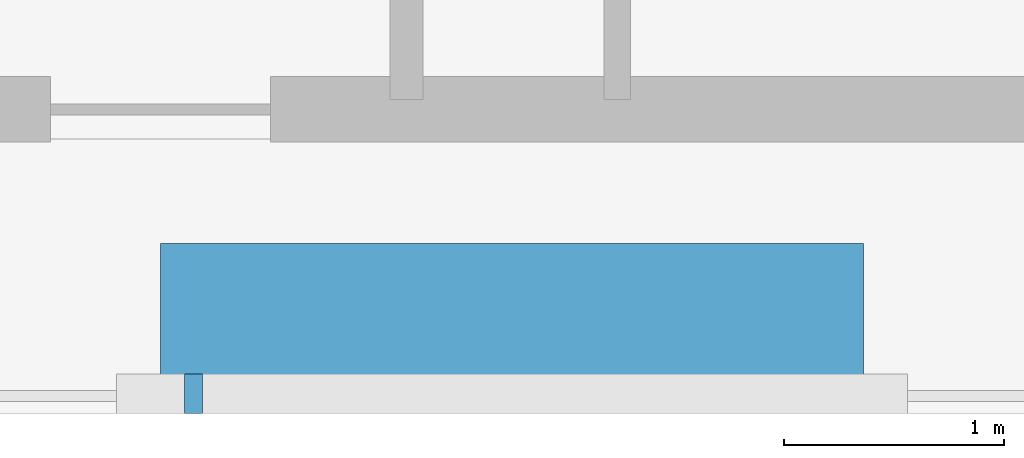
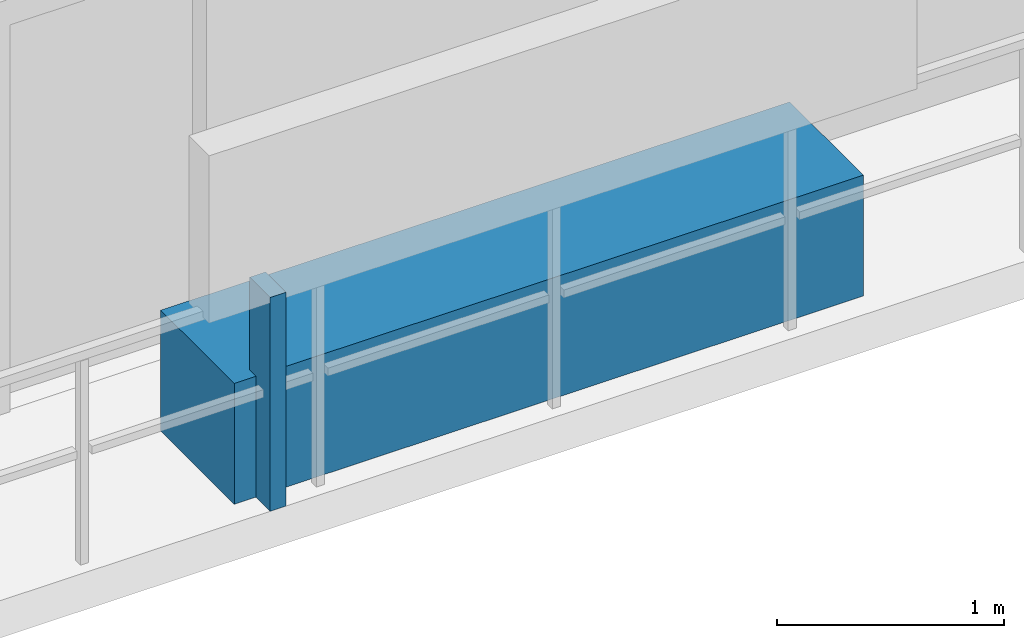
# One storey, part 32 of 36: 2 discrete accessories.
"""IFC4 building model written with IfcOpenShell, lengths in metres."""

from ifc_helpers import new_model, si_unit, direction, frame, origin, origin_2d, place, context, subcontext, project, spatial, rectangle, extrude, material, type_object, element, save


model = new_model("IFC4")

# Units and contexts
model_context = context("Model", 3, precision=1e-05, world=origin(), true_north=direction((0.0, 1.0)))
body_context = subcontext(model_context, "Body", "Model", "MODEL_VIEW")
ifc_project = project(units=[si_unit("LENGTHUNIT", "METRE"), si_unit("AREAUNIT", "SQUARE_METRE"), si_unit("VOLUMEUNIT", "CUBIC_METRE"), si_unit("PLANEANGLEUNIT", "RADIAN"), si_unit("MASSUNIT", "GRAM", prefix="KILO")], contexts=[model_context])

# Site, building, storey
site_placement = place(None, origin())
site = spatial("IfcSite", under=ifc_project, at=site_placement, CompositionType="ELEMENT")
building_placement = place(site_placement, origin())
building = spatial("IfcBuilding", under=site, at=building_placement, Name="Thornwick Lancets Civic Towers", CompositionType="ELEMENT")
storey_placement = place(building_placement, frame((0.0, 0.0, 116.10009765625)))
storey = spatial("IfcBuildingStorey", under=building, at=storey_placement, Name="L30", CompositionType="ELEMENT", Elevation=116.10009765625)

# Discrete accessories
ifc_material_1 = material(Name="Planted terracotta greenery planter", Category="masonry")
discrete_accessory_type_1 = type_object("IfcDiscreteAccessoryType", Name="ACC_PLANTER_BOX", PredefinedType="USERDEFINED", material=ifc_material_1)
discrete_accessory_1_placement = place(storey_placement, frame((88.5, 2.10009765625, 0.0), z_axis=(0.0, 0.0, 1.0), x_axis=(1.0, 0.0, 0.0)))
element("IfcDiscreteAccessory", 1, at=discrete_accessory_1_placement, inside=storey, type_object=discrete_accessory_type_1, Name="L30 Tower B Balcony Greenery Planter S", ObjectType="PLANTER", PredefinedType="USERDEFINED", context=body_context, shape_type="SweptSolid", body=[
    extrude(rectangle(XDim=3.199951171875, YDim=0.64990234375, at=origin_2d()), origin(), (0.0, 0.0, 1.0), 0.64990234375),
])
ifc_material_2 = material(Name="Stainless steel S355", Category="steel")
discrete_accessory_type_2 = type_object("IfcDiscreteAccessoryType", Name="ACC_SCREEN_BRACKET", PredefinedType="BRACKET", material=ifc_material_2)
discrete_accessory_2_placement = place(storey_placement, frame((87.050048828125, 1.739990234375, 0.0), z_axis=(0.0, 0.0, 1.0), x_axis=(1.0, 0.0, 0.0)))
element("IfcDiscreteAccessory", 2, at=discrete_accessory_2_placement, inside=storey, type_object=discrete_accessory_type_2, Name="L30 Tower B Balcony Screen Stanchion Bracket S-1", PredefinedType="BRACKET", context=body_context, shape_type="SweptSolid", body=[
    extrude(rectangle(XDim=0.080078125, YDim=0.179931640625, at=origin_2d()), origin(), (0.0, 0.0, 1.0), 1.14990234375),
])

save(model, "model.ifc")
